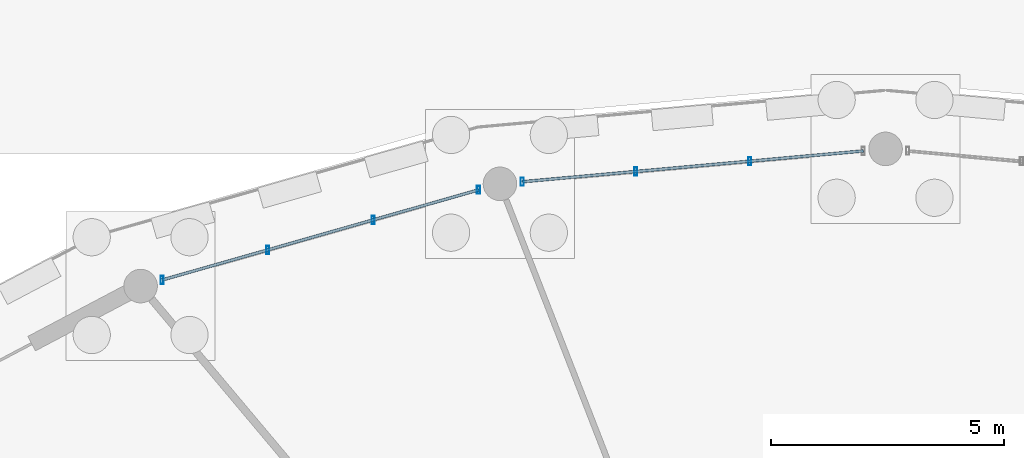
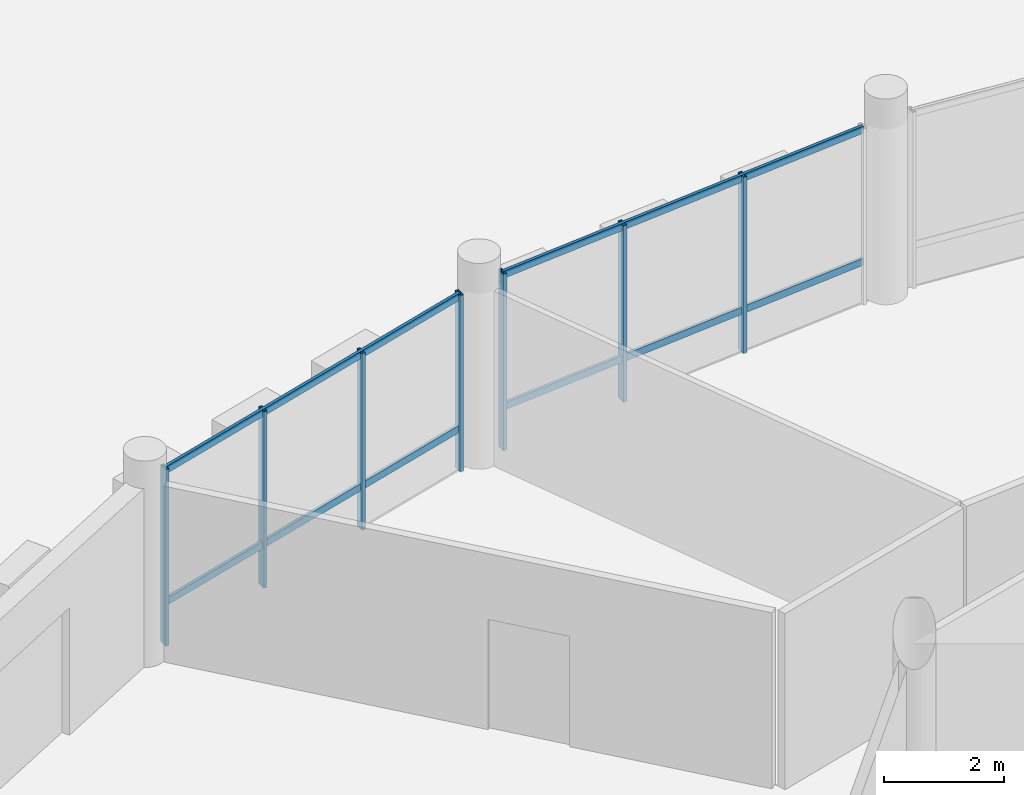
# One storey, part 40 of 98: 11 members, 2 elements without a shape of their own.
"""IFC4 building model written with IfcOpenShell, lengths in metres."""

import ifcopenshell
import ifcopenshell.guid

model = None  # the IFC model being written
_history = None  # IfcOwnerHistory: only IFC2X3 demands one
_inside = {}  # id of a spatial element -> (the spatial element, [elements in it])
_under = {}  # id of a project, library or spatial element -> (it, [spatial elements below it])
_declared = {}  # id of a project -> (the project, [libraries it declares])
_typed = {}  # id of a type object -> (the type object, [elements of that type])
_made_of = {}  # id of a material, layer set ... -> (it, [elements and type objects made of it])


def new_model(schema):
    """Start an empty IFC model of exactly this schema.

    Asked for "IFC4X3", IfcOpenShell would pick the latest addendum, in which some entities
    have other attributes; the version numbers below select the first issue.
    IFC2X3 requires an IfcOwnerHistory on every rooted entity: one is made here for all.
    """
    global model, _history
    if schema == "IFC4X3":
        model = ifcopenshell.file(schema_version=(4, 3, 0, 0))
    else:
        model = ifcopenshell.file(schema=schema)
    _inside.clear()
    _under.clear()
    _declared.clear()
    _typed.clear()
    _made_of.clear()
    _history = None
    if model.schema == "IFC2X3":
        org = make("IfcOrganization", Name="unknown")
        user = make(
            "IfcPersonAndOrganization",
            ThePerson=make("IfcPerson", FamilyName="unknown"),
            TheOrganization=org,
        )
        app = make(
            "IfcApplication",
            ApplicationDeveloper=org,
            Version="unknown",
            ApplicationFullName="unknown",
            ApplicationIdentifier="unknown",
        )
        _history = make(
            "IfcOwnerHistory",
            OwningUser=user,
            OwningApplication=app,
            ChangeAction="ADDED",
            CreationDate=0,
        )
    return model


def make(cls, **values):
    """One entity of the class cls with the attributes given. An attribute that is None is left unset."""
    return model.create_entity(
        cls, **{name: value for name, value in values.items() if value is not None}
    )


def rooted(cls, **values):
    """An entity with a GlobalId (a new one), such as an element, a storey or a relation."""
    return make(cls, GlobalId=ifcopenshell.guid.new(), OwnerHistory=_history, **values)


def si_unit(unit_type, name, prefix=None):
    """IfcSIUnit, for example si_unit("LENGTHUNIT", "METRE", prefix="MILLI")."""
    return make("IfcSIUnit", UnitType=unit_type, Prefix=prefix, Name=name)


def assignment(units):
    """IfcUnitAssignment: the units of a project."""
    return None if units is None else make("IfcUnitAssignment", Units=units)


def point(xyz):
    """IfcCartesianPoint."""
    return None if xyz is None else make("IfcCartesianPoint", Coordinates=xyz)


def direction(xyz):
    """IfcDirection."""
    return None if xyz is None else make("IfcDirection", DirectionRatios=xyz)


def frame(location, z_axis=None, x_axis=None):
    """IfcAxis2Placement3D, a coordinate frame: its origin and axes. An axis left out is left unset."""
    return make(
        "IfcAxis2Placement3D",
        Location=point(location),
        Axis=direction(z_axis),
        RefDirection=direction(x_axis),
    )


def frame_2d(location, x_axis=None):
    """IfcAxis2Placement2D, a coordinate frame in the plane: its origin and x axis."""
    return make(
        "IfcAxis2Placement2D", Location=point(location), RefDirection=direction(x_axis)
    )


def origin():
    """The frame at (0, 0, 0) with its axes left unset."""
    return frame((0.0, 0.0, 0.0))


def origin_2d():
    """The frame at (0, 0) in the plane with its x axis left unset."""
    return frame_2d((0.0, 0.0))


def place(relative_to, where):
    """IfcLocalPlacement: puts the frame where relative to a parent placement (None: the world)."""
    return make(
        "IfcLocalPlacement", PlacementRelTo=relative_to, RelativePlacement=where
    )


def context(
    kind, dimensions, precision=None, world=None, true_north=None, identifier=None
):
    """IfcGeometricRepresentationContext, for example the 3D "Model" context."""
    return make(
        "IfcGeometricRepresentationContext",
        ContextIdentifier=identifier,
        ContextType=kind,
        CoordinateSpaceDimension=dimensions,
        Precision=precision,
        WorldCoordinateSystem=world,
        TrueNorth=true_north,
    )


def subcontext(parent, identifier, kind, view, scale=None):
    """IfcGeometricRepresentationSubContext, for example "Body" below "Model"."""
    return make(
        "IfcGeometricRepresentationSubContext",
        ContextIdentifier=identifier,
        ContextType=kind,
        ParentContext=parent,
        TargetScale=scale,
        TargetView=view,
    )


def project(units=None, contexts=None):
    """IfcProject with its units and contexts."""
    return rooted(
        "IfcProject",
        Name="project",
        RepresentationContexts=contexts,
        UnitsInContext=assignment(units),
    )


def spatial(cls, under=None, at=None, **own):
    """A site, building, storey or space (cls), placed at a placement, below another one or the project."""
    s = rooted(cls, ObjectPlacement=at, **own)
    if under is not None:
        _under.setdefault(under.id(), (under, []))[1].append(s)
    return s


def profile(cls, at=None, kind="AREA", **sizes):
    """A parametric profile (cls). Its sizes go by their IFC names, for example OverallWidth=200.0."""
    return make(cls, ProfileType=kind, Position=at, **sizes)


def hollow_rectangle(**sizes):
    """IfcRectangleHollowProfileDef."""
    return profile("IfcRectangleHollowProfileDef", **sizes)


def extrude(swept, where, along, depth):
    """IfcExtrudedAreaSolid: the profile swept, set in the frame where, extruded along a direction by depth."""
    return make(
        "IfcExtrudedAreaSolid",
        SweptArea=swept,
        Position=where,
        ExtrudedDirection=direction(along),
        Depth=depth,
    )


def shape(context_of_items, identifier, shape_type, items):
    """IfcShapeRepresentation: the items that make up one representation, for example the "Body"."""
    return make(
        "IfcShapeRepresentation",
        ContextOfItems=context_of_items,
        RepresentationIdentifier=identifier,
        RepresentationType=shape_type,
        Items=items,
    )


def material(Name=None, Category=None):
    """IfcMaterial."""
    return make("IfcMaterial", Name=Name, Category=Category)


def material_profile(
    of_material, cross_section, Name=None, Category=None, Priority=None
):
    """IfcMaterialProfile: a cross section and its material."""
    return make(
        "IfcMaterialProfile",
        Name=Name,
        Material=of_material,
        Profile=cross_section,
        Priority=Priority,
        Category=Category,
    )


def profile_set(profiles, Name=None, composite=None):
    """IfcMaterialProfileSet."""
    return make(
        "IfcMaterialProfileSet",
        Name=Name,
        MaterialProfiles=profiles,
        CompositeProfile=composite,
    )


def made_of(thing, what):
    """Note that an element or type object is made of a material, layer set ...; save() writes the relation."""
    if what is not None:
        _made_of.setdefault(what.id(), (what, []))[1].append(thing)
    return thing


def type_object(cls, material=None, **own):
    """A type object (cls), such as IfcWallType, which elements share."""
    return made_of(rooted(cls, **own), material)


def element(
    cls,
    number,
    at=None,
    inside=None,
    cuts=None,
    type_object=None,
    material=None,
    context=None,
    identifier="Body",
    shape_type=None,
    held_by="IfcProductDefinitionShape",
    body=None,
    shapes=None,
    **own,
):
    """One element of the class cls, such as IfcWall. Its Tag is "e" and its number.

    at: its placement. inside: the storey or other place that contains it. cuts: it is an
    opening in that element (IfcRelVoidsElement). A single representation is given by context,
    identifier, shape_type and body (its items); several are given by shapes. held_by: the class
    of the entity that holds the representations. save() writes the other relations.
    """
    e = rooted(cls, Tag="e%d" % number, ObjectPlacement=at, **own)
    if body is not None:
        shapes = [shape(context, identifier, shape_type, body)]
    if shapes is not None:
        e.Representation = make(held_by, Representations=shapes)
    if inside is not None:
        _inside.setdefault(inside.id(), (inside, []))[1].append(e)
    if cuts is not None:
        rooted(
            "IfcRelVoidsElement", RelatingBuildingElement=cuts, RelatedOpeningElement=e
        )
    if type_object is not None:
        _typed.setdefault(type_object.id(), (type_object, []))[1].append(e)
    return made_of(e, material)


def aggregate(whole, parts):
    """IfcRelAggregates: a whole, such as a stair, and the parts it consists of."""
    return rooted("IfcRelAggregates", RelatingObject=whole, RelatedObjects=parts)


def save(model, path):
    """Write the relations noted so far, then the file.

    IfcRelAggregates (storeys below a building ...), IfcRelContainedInSpatialStructure (elements
    in a storey), IfcRelDefinesByType, IfcRelAssociatesMaterial and IfcRelDeclares: one each for
    every whole, place, type object, material and project.
    """
    for whole, parts in _under.values():
        aggregate(whole, parts)
    for where, things in _inside.values():
        rooted(
            "IfcRelContainedInSpatialStructure",
            RelatedElements=things,
            RelatingStructure=where,
        )
    for kind, things in _typed.values():
        rooted("IfcRelDefinesByType", RelatedObjects=things, RelatingType=kind)
    for what, things in _made_of.values():
        rooted("IfcRelAssociatesMaterial", RelatedObjects=things, RelatingMaterial=what)
    for by, libraries in _declared.values():
        rooted("IfcRelDeclares", RelatingContext=by, RelatedDefinitions=libraries)
    model.write(path)


model = new_model("IFC4")

# Units and contexts
model_context = context("Model", 3, precision=1e-05, world=origin(), true_north=direction((0.0, 1.0)))
body_context = subcontext(model_context, "Body", "Model", "MODEL_VIEW")
ifc_project = project(units=[si_unit("LENGTHUNIT", "METRE"), si_unit("AREAUNIT", "SQUARE_METRE"), si_unit("VOLUMEUNIT", "CUBIC_METRE"), si_unit("PLANEANGLEUNIT", "RADIAN"), si_unit("MASSUNIT", "GRAM", prefix="KILO")], contexts=[model_context])

# Site, building, storey
site_placement = place(None, origin())
site = spatial("IfcSite", under=ifc_project, at=site_placement, CompositionType="ELEMENT")
building_placement = place(site_placement, origin())
building = spatial("IfcBuilding", under=site, at=building_placement, Name="Zornivar Specialist Clinic", CompositionType="ELEMENT")
storey_placement = place(building_placement, origin())
storey = spatial("IfcBuildingStorey", under=building, at=storey_placement, Name="L00", CompositionType="ELEMENT", Elevation=0.0)

# Curtain wall, members
ifc_material_1 = material(Name="Aluminium and Low-E Glass Curtain Wall", Category="aluminium")
curtain_wall_type = type_object("IfcCurtainWallType", Name="CW-DRUM-FACET", PredefinedType="NOTDEFINED", material=ifc_material_1)
curtain_wall_1_placement = place(storey_placement, origin())
curtain_wall_1 = element("IfcCurtainWall", 1, at=curtain_wall_1_placement, inside=storey, type_object=curtain_wall_type, Name="cw:V1:L00:c06", PredefinedType="NOTDEFINED")
ifc_material_2 = material(Name="Aluminium AW-6060", Category="aluminium")
ifc_material_profile_1 = material_profile(ifc_material_2, hollow_rectangle(XDim=0.06494140625, YDim=0.175048828125, WallThickness=0.00439453125, at=origin_2d()), Name="ALU 65x175x4.5")
ifc_profile_set_1 = profile_set([ifc_material_profile_1], Name="Aluminium AW-6060")
member_type_1 = type_object("IfcMemberType", Name="CWM-MUL-175", PredefinedType="MULLION", material=ifc_profile_set_1)
member_1_placement = place(storey_placement, frame((90.679931640625, 79.3349609375, 0.0), z_axis=(0.0, 0.0, 1.0), x_axis=(1.0, 0.0, 0.0)))
member_1 = element("IfcMember", 2, at=member_1_placement, type_object=member_type_1, Name="cw:V1:L00:c06:mul:1", PredefinedType="MULLION", context=body_context, shape_type="SweptSolid", body=[
    extrude(hollow_rectangle(XDim=0.06494140625, YDim=0.175048828125, WallThickness=0.00439453125, at=origin_2d()), origin(), (0.0, 0.0, 1.0), 3.610107421875),
])
member_2_placement = place(storey_placement, frame((88.238037109375, 79.114013671875, 0.0), z_axis=(0.0, 0.0, 1.0), x_axis=(1.0, 0.0, 0.0)))
member_2 = element("IfcMember", 3, at=member_2_placement, type_object=member_type_1, Name="cw:V1:L00:c06:mul:2", PredefinedType="MULLION", context=body_context, shape_type="SweptSolid", body=[
    extrude(hollow_rectangle(XDim=0.06494140625, YDim=0.175048828125, WallThickness=0.00439453125, at=origin_2d()), origin(), (0.0, 0.0, 1.0), 3.610107421875),
])
member_3_placement = place(storey_placement, frame((85.7958984375, 78.89306640625, 0.0), z_axis=(0.0, 0.0, 1.0), x_axis=(1.0, 0.0, 0.0)))
member_3 = element("IfcMember", 4, at=member_3_placement, type_object=member_type_1, Name="cw:V1:L00:c06:mul:3", PredefinedType="MULLION", context=body_context, shape_type="SweptSolid", body=[
    extrude(hollow_rectangle(XDim=0.06494140625, YDim=0.175048828125, WallThickness=0.00439453125, at=origin_2d()), origin(), (0.0, 0.0, 1.0), 3.610107421875),
])

curtain_wall_2_placement = place(storey_placement, origin())
curtain_wall_2 = element("IfcCurtainWall", 5, at=curtain_wall_2_placement, inside=storey, type_object=curtain_wall_type, Name="cw:V1:L00:c07", PredefinedType="NOTDEFINED")
member_4_placement = place(storey_placement, frame((84.85693359375, 78.718994140625, 0.0), z_axis=(0.0, 0.0, 1.0), x_axis=(1.0, 0.0, 0.0)))
member_4 = element("IfcMember", 6, at=member_4_placement, type_object=member_type_1, Name="cw:V1:L00:c07:mul:0", PredefinedType="MULLION", context=body_context, shape_type="SweptSolid", body=[
    extrude(hollow_rectangle(XDim=0.06494140625, YDim=0.175048828125, WallThickness=0.00439453125, at=origin_2d()), origin(), (0.0, 0.0, 1.0), 3.610107421875),
])
member_5_placement = place(storey_placement, frame((82.592041015625, 78.073974609375, 0.0), z_axis=(0.0, 0.0, 1.0), x_axis=(1.0, 0.0, 0.0)))
member_5 = element("IfcMember", 7, at=member_5_placement, type_object=member_type_1, Name="cw:V1:L00:c07:mul:1", PredefinedType="MULLION", context=body_context, shape_type="SweptSolid", body=[
    extrude(hollow_rectangle(XDim=0.06494140625, YDim=0.175048828125, WallThickness=0.00439453125, at=origin_2d()), origin(), (0.0, 0.0, 1.0), 3.610107421875),
])
member_6_placement = place(storey_placement, frame((80.325927734375, 77.429931640625, 0.0), z_axis=(0.0, 0.0, 1.0), x_axis=(1.0, 0.0, 0.0)))
member_6 = element("IfcMember", 8, at=member_6_placement, type_object=member_type_1, Name="cw:V1:L00:c07:mul:2", PredefinedType="MULLION", context=body_context, shape_type="SweptSolid", body=[
    extrude(hollow_rectangle(XDim=0.06494140625, YDim=0.175048828125, WallThickness=0.00439453125, at=origin_2d()), origin(), (0.0, 0.0, 1.0), 3.610107421875),
])
member_7_placement = place(storey_placement, frame((78.06103515625, 76.784912109375, 0.0), z_axis=(0.0, 0.0, 1.0), x_axis=(1.0, 0.0, 0.0)))
member_7 = element("IfcMember", 9, at=member_7_placement, type_object=member_type_1, Name="cw:V1:L00:c07:mul:3", PredefinedType="MULLION", context=body_context, shape_type="SweptSolid", body=[
    extrude(hollow_rectangle(XDim=0.06494140625, YDim=0.175048828125, WallThickness=0.00439453125, at=origin_2d()), origin(), (0.0, 0.0, 1.0), 3.610107421875),
])

# Member
ifc_material_3 = material(Name="Aluminium AW-6060", Category="aluminium")
ifc_material_profile_2 = material_profile(ifc_material_3, hollow_rectangle(XDim=0.06005859375, YDim=0.14501953125, WallThickness=0.00390625, at=origin_2d()), Name="ALU 60x145x4")
ifc_profile_set_2 = profile_set([ifc_material_profile_2], Name="Aluminium AW-6060")
member_type_2 = type_object("IfcMemberType", Name="CWM-TRN-145", PredefinedType="USERDEFINED", material=ifc_profile_set_2)
member_8_placement = place(storey_placement, frame((93.1220703125, 79.555908203125, 0.85009765625), z_axis=(-0.995943921343, -0.089976138722, 0.0), x_axis=(0.089976138722, -0.995943921343, 0.0)))
member_8 = element("IfcMember", 10, at=member_8_placement, type_object=member_type_2, Name="cw:V1:L00:c06:trn:0", ObjectType="TRANSOM", PredefinedType="USERDEFINED", context=body_context, shape_type="SweptSolid", body=[
    extrude(hollow_rectangle(XDim=0.06005859375, YDim=0.14501953125, WallThickness=0.00390625, at=origin_2d()), origin(), (0.0, 0.0, 1.0), 7.35595703125),
])

member_9_placement = place(storey_placement, frame((93.1220703125, 79.555908203125, 3.544921875), z_axis=(-0.995943921343, -0.089976138722, 0.0), x_axis=(0.089976138722, -0.995943921343, 0.0)))
member_9 = element("IfcMember", 11, at=member_9_placement, type_object=member_type_2, Name="cw:V1:L00:c06:trn:1", ObjectType="TRANSOM", PredefinedType="USERDEFINED", context=body_context, shape_type="SweptSolid", body=[
    extrude(hollow_rectangle(XDim=0.06005859375, YDim=0.14501953125, WallThickness=0.00390625, at=origin_2d()), origin(), (0.0, 0.0, 1.0), 7.35595703125),
])

aggregate(curtain_wall_1, [member_1, member_2, member_3, member_8, member_9])

member_10_placement = place(storey_placement, frame((84.85693359375, 78.718994140625, 0.85009765625), z_axis=(-0.961771283353, -0.27385397298, 0.0), x_axis=(0.27385397298, -0.961771283353, 0.0)))
member_10 = element("IfcMember", 12, at=member_10_placement, type_object=member_type_2, Name="cw:V1:L00:c07:trn:0", ObjectType="TRANSOM", PredefinedType="USERDEFINED", context=body_context, shape_type="SweptSolid", body=[
    extrude(hollow_rectangle(XDim=0.06005859375, YDim=0.14501953125, WallThickness=0.00390625, at=origin_2d()), origin(), (0.0, 0.0, 1.0), 7.06591796875),
])

member_11_placement = place(storey_placement, frame((84.85693359375, 78.718994140625, 3.544921875), z_axis=(-0.961771283353, -0.27385397298, 0.0), x_axis=(0.27385397298, -0.961771283353, 0.0)))
member_11 = element("IfcMember", 13, at=member_11_placement, type_object=member_type_2, Name="cw:V1:L00:c07:trn:1", ObjectType="TRANSOM", PredefinedType="USERDEFINED", context=body_context, shape_type="SweptSolid", body=[
    extrude(hollow_rectangle(XDim=0.06005859375, YDim=0.14501953125, WallThickness=0.00390625, at=origin_2d()), origin(), (0.0, 0.0, 1.0), 7.06591796875),
])

aggregate(curtain_wall_2, [member_4, member_5, member_6, member_7, member_10, member_11])

save(model, "model.ifc")
